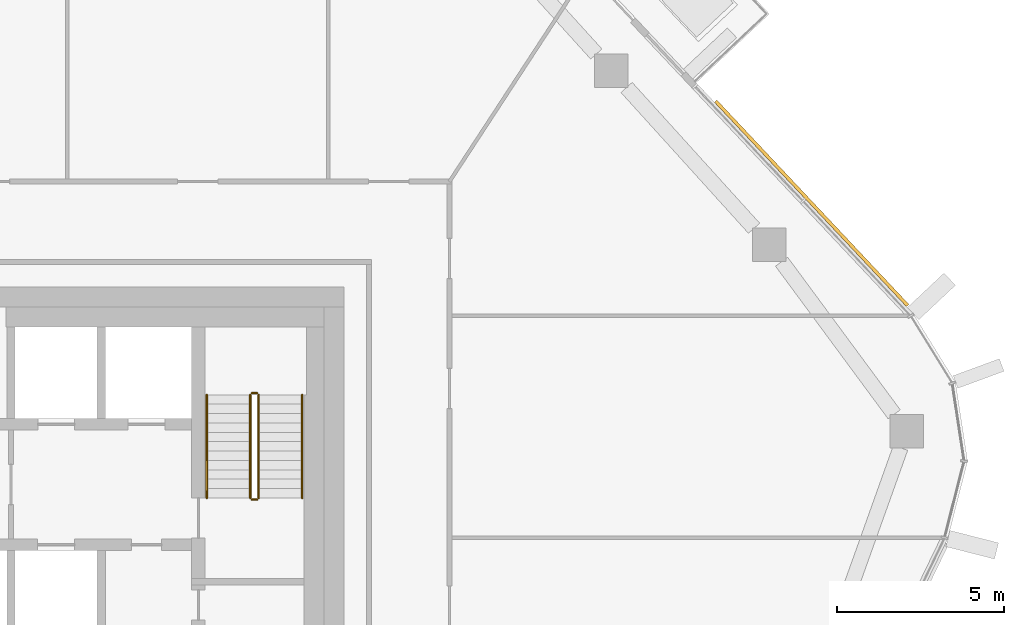
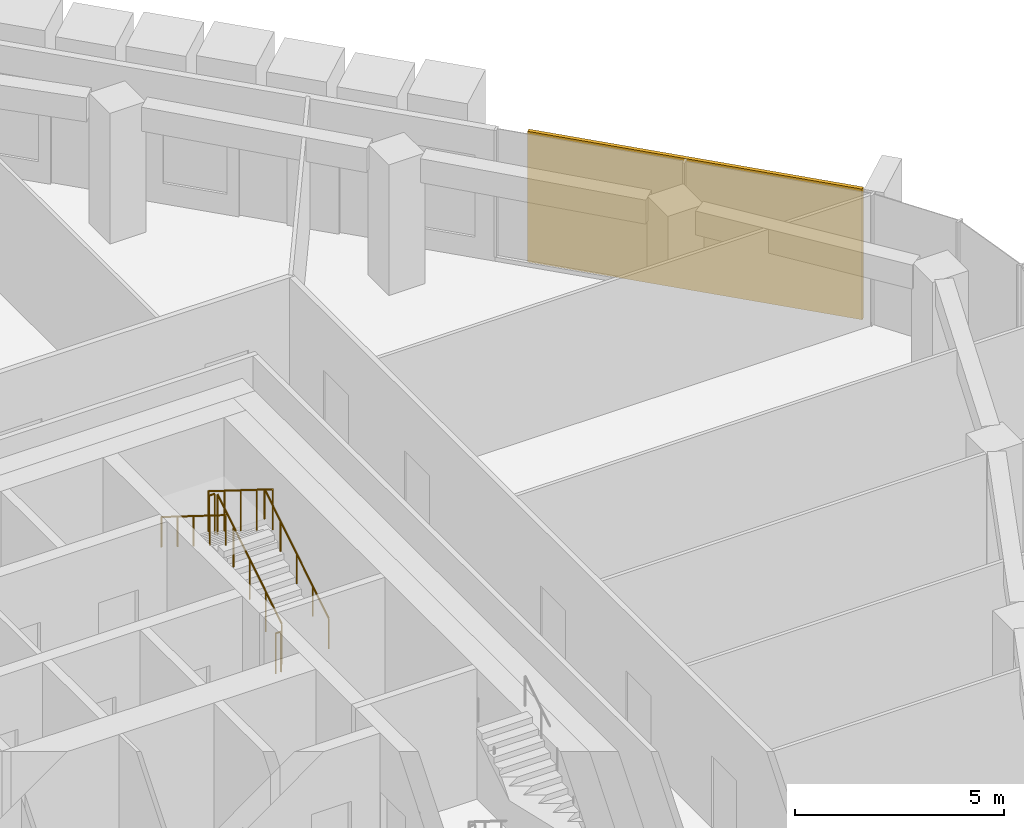
# One storey, part 23 of 24: 6 railings, 1 covering, 1 element without a shape of its own.
"""IFC4 building model written with IfcOpenShell, lengths in metres."""

from ifc_helpers import new_model, si_unit, direction, frame, origin, origin_2d, place, context, subcontext, project, spatial, rectangle, circle, extrude, material, layer, layer_set, type_object, element, aggregate, save


model = new_model("IFC4")

# Units and contexts
model_context = context("Model", 3, precision=1e-05, world=origin(), true_north=direction((0.0, 1.0)))
body_context = subcontext(model_context, "Body", "Model", "MODEL_VIEW")
ifc_project = project(units=[si_unit("LENGTHUNIT", "METRE"), si_unit("AREAUNIT", "SQUARE_METRE"), si_unit("VOLUMEUNIT", "CUBIC_METRE"), si_unit("PLANEANGLEUNIT", "RADIAN"), si_unit("MASSUNIT", "GRAM", prefix="KILO")], contexts=[model_context])

# Site, building, storey
site_placement = place(None, origin())
site = spatial("IfcSite", under=ifc_project, at=site_placement, CompositionType="ELEMENT")
building_placement = place(site_placement, origin())
building = spatial("IfcBuilding", under=site, at=building_placement, Name="Dongbaek Canopy Tower", CompositionType="ELEMENT")
storey_placement = place(building_placement, frame((0.0, 0.0, 302.60009765625)))
storey = spatial("IfcBuildingStorey", under=building, at=storey_placement, Name="L64", CompositionType="ELEMENT", Elevation=302.60009765625)

# Curtain wall, covering
ifc_material_1 = material(Name="Aluminium 6063-T6 pale anodised", Category="aluminium")
ifc_layer_1 = layer(ifc_material_1, 0.199951171875)
ifc_layer_set_1 = layer_set([ifc_layer_1], Name="CW-1 unitised tower curtain wall")
curtain_wall_type = type_object("IfcCurtainWallType", Name="CW-1 unitised tower curtain wall", PredefinedType="NOTDEFINED", material=ifc_layer_set_1)
curtain_wall_placement = place(storey_placement, origin())
curtain_wall = element("IfcCurtainWall", 1, at=curtain_wall_placement, inside=storey, type_object=curtain_wall_type, Name="CW-1 curtain wall F0.1", PredefinedType="NOTDEFINED")
ifc_material_2 = material(Name="Perforated aluminium 6063-T6 pale metal screen", Category="aluminium")
ifc_layer_2 = layer(ifc_material_2, 0.10009765625)
ifc_layer_set_2 = layer_set([ifc_layer_2], Name="Facet screen FS1 100 pale metal")
covering_type = type_object("IfcCoveringType", Name="Facet screen FS1 100 pale metal", PredefinedType="CLADDING", material=ifc_layer_set_2)
covering_placement = place(storey_placement, frame((27.970947265625, 13.50146484375, 0.0), z_axis=(0.0, 0.0, 1.0), x_axis=(-0.684830774803, 0.728702140715, 0.0)))
covering = element("IfcCovering", 2, at=covering_placement, type_object=covering_type, Name="Facet screen L64 F0", PredefinedType="CLADDING", context=body_context, shape_type="SweptSolid", body=[
    extrude(rectangle(XDim=8.37255859375, YDim=0.10009765625, at=origin_2d()), origin(), (0.0, 0.0, 1.0), 3.820068359375),
])
aggregate(curtain_wall, [covering])

# Railings
ifc_material_3 = material(Name="Stainless steel tube and balusters", Category="steel")
railing_type_1 = type_object("IfcRailingType", Name="Stair guard 1200", PredefinedType="GUARDRAIL", material=ifc_material_3)
railing_1_placement = place(storey_placement, frame((11.449951171875, 4.699951171875, 0.1748046875)))
element("IfcRailing", 3, at=railing_1_placement, inside=storey, type_object=railing_type_1, Name="L64 ST-A stair guard 1", PredefinedType="GUARDRAIL", context=body_context, shape_type="SweptSolid", body=[
    extrude(circle(Radius=0.02392578125, at=origin_2d()), frame((0.0, 0.0, 1.17578125), z_axis=(0.0, 0.847998304005, 0.529998940003), x_axis=(-1.0, 0.0, 0.0)), (0.0, 0.0, 1.0), 3.632080078125),
    extrude(circle(Radius=0.02099609375, at=origin_2d()), origin(), (0.0, 0.0, 1.0), 1.15185546875),
    extrude(circle(Radius=0.02099609375, at=origin_2d()), frame((0.0, 0.77001953125, 0.481201171875)), (0.0, 0.0, 1.0), 1.15185546875),
    extrude(circle(Radius=0.02099609375, at=origin_2d()), frame((0.0, 1.5400390625, 0.96240234375)), (0.0, 0.0, 1.0), 1.15185546875),
    extrude(circle(Radius=0.02099609375, at=origin_2d()), frame((0.0, 2.31005859375, 1.44384765625)), (0.0, 0.0, 1.0), 1.15185546875),
    extrude(circle(Radius=0.02099609375, at=origin_2d()), frame((0.0, 3.080078125, 1.925048828125)), (0.0, 0.0, 1.0), 1.15185546875),
])
railing_2_placement = place(storey_placement, frame((11.39990234375, 7.830078125, 2.099853515625)))
element("IfcRailing", 4, at=railing_2_placement, inside=storey, type_object=railing_type_1, Name="L64 ST-A stair guard 2", PredefinedType="GUARDRAIL", context=body_context, shape_type="SweptSolid", body=[
    extrude(circle(Radius=0.02392578125, at=origin_2d()), frame((0.0, 0.0, 1.17578125), z_axis=(-1.0, 0.0, 0.0), x_axis=(0.0, -1.0, 0.0)), (0.0, 0.0, 1.0), 0.14990234375),
    extrude(circle(Radius=0.02099609375, at=origin_2d()), origin(), (0.0, 0.0, 1.0), 1.15185546875),
    extrude(circle(Radius=0.02099609375, at=origin_2d()), frame((-0.14990234375, 0.0, 0.0)), (0.0, 0.0, 1.0), 1.15185546875),
])
railing_3_placement = place(storey_placement, frame((11.199951171875, 7.780029296875, 2.27490234375)))
element("IfcRailing", 5, at=railing_3_placement, inside=storey, type_object=railing_type_1, Name="L64 ST-A stair guard 3", PredefinedType="GUARDRAIL", context=body_context, shape_type="SweptSolid", body=[
    extrude(circle(Radius=0.02392578125, at=origin_2d()), frame((0.0, 0.0, 1.17578125), z_axis=(0.0, -0.847998304005, 0.529998940003), x_axis=(1.0, 0.0, 0.0)), (0.0, 0.0, 1.0), 3.632080078125),
    extrude(circle(Radius=0.02099609375, at=origin_2d()), origin(), (0.0, 0.0, 1.0), 1.15185546875),
    extrude(circle(Radius=0.02099609375, at=origin_2d()), frame((0.0, -0.77001953125, 0.481201171875)), (0.0, 0.0, 1.0), 1.15185546875),
    extrude(circle(Radius=0.02099609375, at=origin_2d()), frame((0.0, -1.5400390625, 0.96240234375)), (0.0, 0.0, 1.0), 1.15185546875),
    extrude(circle(Radius=0.02099609375, at=origin_2d()), frame((0.0, -2.31005859375, 1.44384765625)), (0.0, 0.0, 1.0), 1.15185546875),
    extrude(circle(Radius=0.02099609375, at=origin_2d()), frame((0.0, -3.080078125, 1.925048828125)), (0.0, 0.0, 1.0), 1.15185546875),
])
railing_4_placement = place(storey_placement, frame((11.39990234375, 4.64990234375, 0.0)))
element("IfcRailing", 6, at=railing_4_placement, inside=storey, type_object=railing_type_1, Name="L64 ST-A stair guard 4", PredefinedType="GUARDRAIL", context=body_context, shape_type="SweptSolid", body=[
    extrude(circle(Radius=0.02392578125, at=origin_2d()), frame((0.0, 0.0, 1.17578125), z_axis=(-1.0, 0.0, 0.0), x_axis=(0.0, -1.0, 0.0)), (0.0, 0.0, 1.0), 0.14990234375),
    extrude(circle(Radius=0.02099609375, at=origin_2d()), origin(), (0.0, 0.0, 1.0), 1.15185546875),
    extrude(circle(Radius=0.02099609375, at=origin_2d()), frame((-0.14990234375, 0.0, 0.0)), (0.0, 0.0, 1.0), 1.15185546875),
])
ifc_material_4 = material(Name="Stainless steel tube", Category="steel")
railing_type_2 = type_object("IfcRailingType", Name="Stair handrail 900", PredefinedType="HANDRAIL", material=ifc_material_4)
railing_5_placement = place(storey_placement, frame((12.75, 4.699951171875, 0.1748046875)))
element("IfcRailing", 7, at=railing_5_placement, inside=storey, type_object=railing_type_2, Name="L64 ST-A stair handrail 1", PredefinedType="HANDRAIL", context=body_context, shape_type="SweptSolid", body=[
    extrude(circle(Radius=0.02392578125, at=origin_2d()), frame((0.0, 0.0, 0.8759765625), z_axis=(0.0, 0.847998304005, 0.529998940003), x_axis=(-1.0, 0.0, 0.0)), (0.0, 0.0, 1.0), 3.632080078125),
    extrude(circle(Radius=0.02099609375, at=origin_2d()), origin(), (0.0, 0.0, 1.0), 0.851806640625),
    extrude(circle(Radius=0.02099609375, at=origin_2d()), frame((0.0, 0.77001953125, 0.481201171875)), (0.0, 0.0, 1.0), 0.851806640625),
    extrude(circle(Radius=0.02099609375, at=origin_2d()), frame((0.0, 1.5400390625, 0.96240234375)), (0.0, 0.0, 1.0), 0.851806640625),
    extrude(circle(Radius=0.02099609375, at=origin_2d()), frame((0.0, 2.31005859375, 1.44384765625)), (0.0, 0.0, 1.0), 0.851806640625),
    extrude(circle(Radius=0.02099609375, at=origin_2d()), frame((0.0, 3.080078125, 1.925048828125)), (0.0, 0.0, 1.0), 0.851806640625),
])
railing_6_placement = place(storey_placement, frame((9.89990234375, 7.780029296875, 2.27490234375)))
element("IfcRailing", 8, at=railing_6_placement, inside=storey, type_object=railing_type_2, Name="L64 ST-A stair handrail 2", PredefinedType="HANDRAIL", context=body_context, shape_type="SweptSolid", body=[
    extrude(circle(Radius=0.02392578125, at=origin_2d()), frame((0.0, 0.0, 0.8759765625), z_axis=(0.0, -0.847998304005, 0.529998940003), x_axis=(1.0, 0.0, 0.0)), (0.0, 0.0, 1.0), 3.632080078125),
    extrude(circle(Radius=0.02099609375, at=origin_2d()), origin(), (0.0, 0.0, 1.0), 0.851806640625),
    extrude(circle(Radius=0.02099609375, at=origin_2d()), frame((0.0, -0.77001953125, 0.481201171875)), (0.0, 0.0, 1.0), 0.851806640625),
    extrude(circle(Radius=0.02099609375, at=origin_2d()), frame((0.0, -1.5400390625, 0.96240234375)), (0.0, 0.0, 1.0), 0.851806640625),
    extrude(circle(Radius=0.02099609375, at=origin_2d()), frame((0.0, -2.31005859375, 1.44384765625)), (0.0, 0.0, 1.0), 0.851806640625),
    extrude(circle(Radius=0.02099609375, at=origin_2d()), frame((0.0, -3.080078125, 1.925048828125)), (0.0, 0.0, 1.0), 0.851806640625),
])

save(model, "model.ifc")
